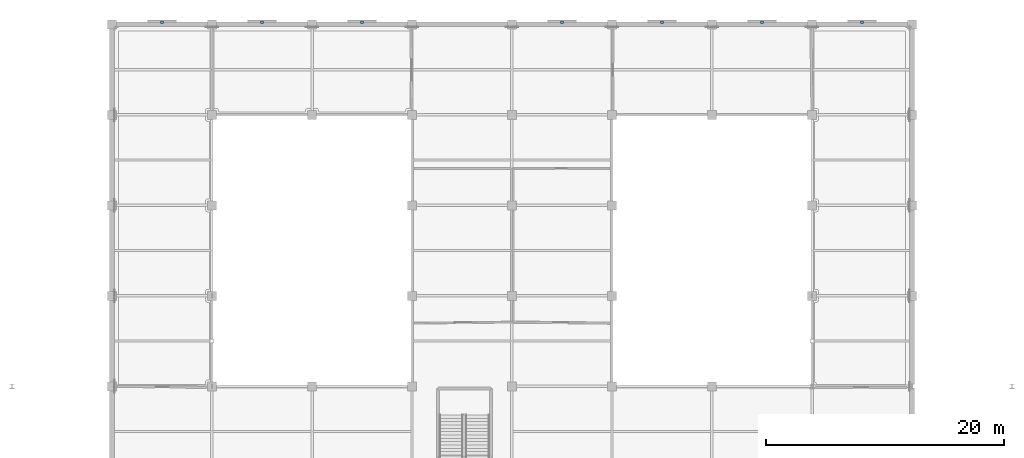
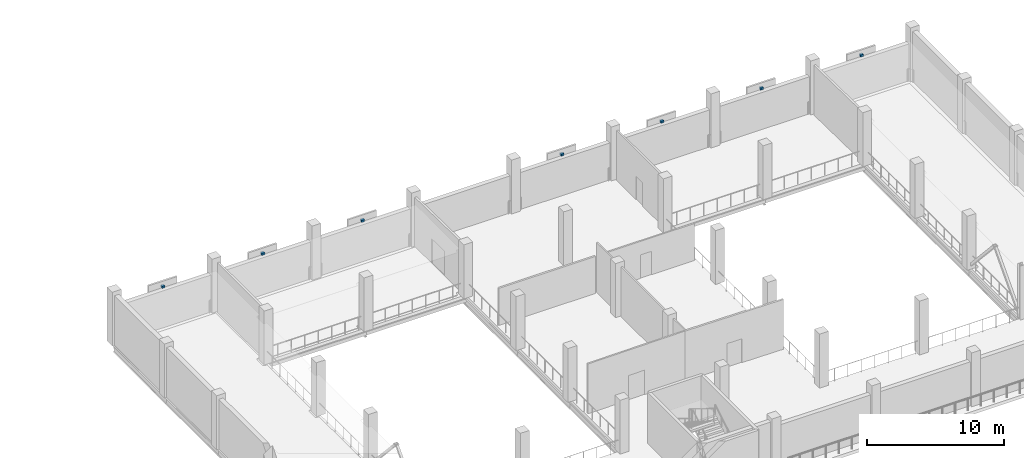
# One storey, part 32 of 51: 7 discrete accessories.
"""IFC4 building model written with IfcOpenShell, lengths in metres."""

from ifc_helpers import new_model, si_unit, direction, frame, origin, origin_2d, place, context, subcontext, project, spatial, rectangle, extrude, material, type_object, element, save


model = new_model("IFC4")

# Units and contexts
model_context = context("Model", 3, precision=1e-05, world=origin(), true_north=direction((0.0, 1.0)))
body_context = subcontext(model_context, "Body", "Model", "MODEL_VIEW")
ifc_project = project(units=[si_unit("LENGTHUNIT", "METRE"), si_unit("AREAUNIT", "SQUARE_METRE"), si_unit("VOLUMEUNIT", "CUBIC_METRE"), si_unit("PLANEANGLEUNIT", "RADIAN"), si_unit("MASSUNIT", "GRAM", prefix="KILO")], contexts=[model_context])

# Site, building, storey
site_placement = place(None, origin())
site = spatial("IfcSite", under=ifc_project, at=site_placement, CompositionType="ELEMENT")
building_placement = place(site_placement, origin())
building = spatial("IfcBuilding", under=site, at=building_placement, Name="Zuvorla Pavilion Media Centre", CompositionType="ELEMENT")
storey_placement = place(building_placement, frame((0.0, 0.0, 4.800048828125)))
storey = spatial("IfcBuildingStorey", under=building, at=storey_placement, Name="L01", CompositionType="ELEMENT", Elevation=4.800048828125)

# Discrete accessories
ifc_material = material(Name="Galvanised steel S355 fixing bracket", Category="steel")
discrete_accessory_type = type_object("IfcDiscreteAccessoryType", Name="ACC-BRK-STL", PredefinedType="BRACKET", material=ifc_material)
for number, where, z_axis, x_axis, name in (
    (1, (71.0, 120.18994140625, 3.31005859375), (0.0, 0.0, 1.0), (1.0, 0.0, 0.0), "L01 acoustic louvre bracket 1"),
    (2, (79.39990234375, 120.18994140625, 3.31005859375), (0.0, 0.0, 1.0), (1.0, 0.0, 0.0), "L01 acoustic louvre bracket 2"),
    (3, (87.800048828125, 120.18994140625, 3.31005859375), (0.0, 0.0, 1.0), (1.0, 0.0, 0.0), "L01 acoustic louvre bracket 3"),
    (4, (104.60009765625, 120.18994140625, 3.31005859375), (0.0, 0.0, 1.0), (1.0, 0.0, 0.0), "L01 acoustic louvre bracket 4"),
    (5, (113.0, 120.18994140625, 3.31005859375), (0.0, 0.0, 1.0), (1.0, 0.0, 0.0), "L01 acoustic louvre bracket 5"),
    (6, (121.39990234375, 120.18994140625, 3.31005859375), (0.0, 0.0, 1.0), (1.0, 0.0, 0.0), "L01 acoustic louvre bracket 6"),
    (7, (129.800048828125, 120.18994140625, 3.31005859375), (0.0, 0.0, 1.0), (1.0, 0.0, 0.0), "L01 acoustic louvre bracket 7"),
):
    element("IfcDiscreteAccessory", number, at=place(storey_placement, frame(where, z_axis=z_axis, x_axis=x_axis)), inside=storey, type_object=discrete_accessory_type, Name=name, PredefinedType="BRACKET", context=body_context, shape_type="SweptSolid", body=[
        extrude(rectangle(XDim=0.239990234375, YDim=0.239990234375, at=origin_2d()), origin(), (0.0, 0.0, 1.0), 0.179931640625),
    ])

save(model, "model.ifc")
